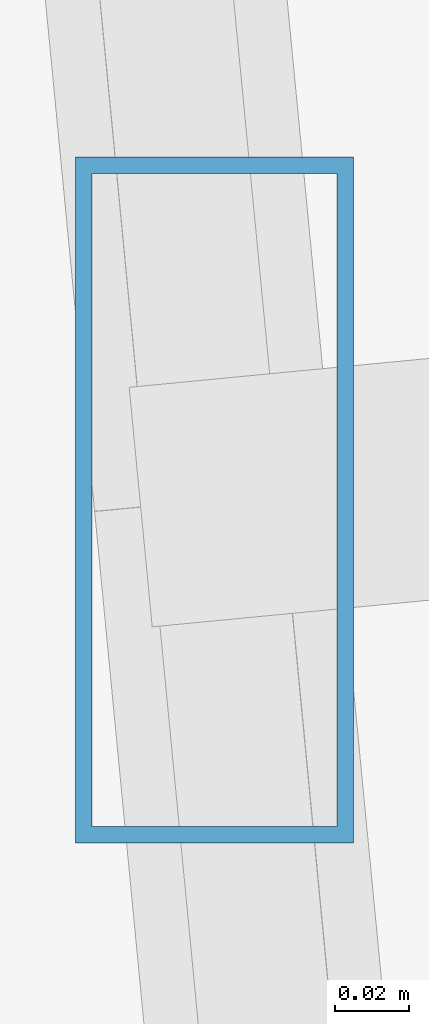
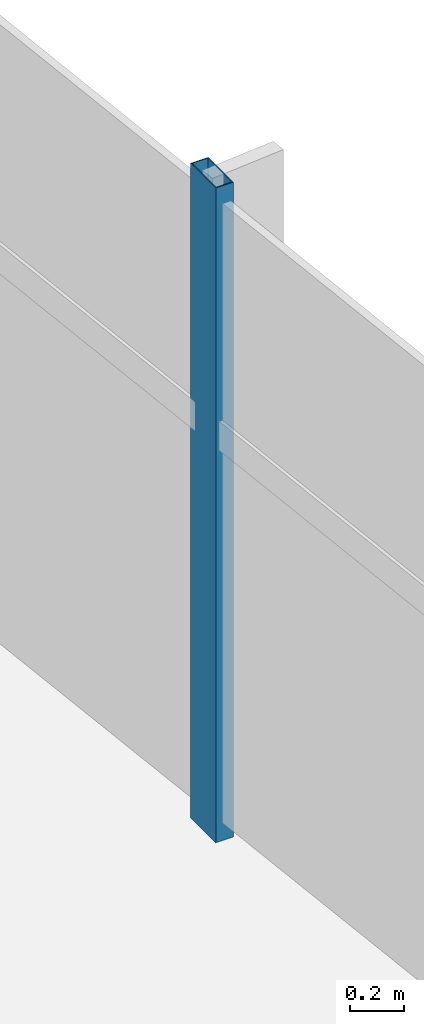
# One storey, part 16 of 27: 1 member, 1 element without a shape of its own.
"""IFC4 building model written with IfcOpenShell, lengths in metres."""

from ifc_helpers import new_model, si_unit, direction, frame, origin, origin_2d, place, context, subcontext, project, spatial, hollow_rectangle, extrude, source, transform, mapped, material, material_profile, profile_set, type_object, type_shapes, element, aggregate, save


model = new_model("IFC4")

# Units and contexts
model_context = context("Model", 3, precision=1e-05, world=origin(), true_north=direction((0.0, 1.0)))
body_context = subcontext(model_context, "Body", "Model", "MODEL_VIEW")
ifc_project = project(units=[si_unit("LENGTHUNIT", "METRE"), si_unit("AREAUNIT", "SQUARE_METRE"), si_unit("VOLUMEUNIT", "CUBIC_METRE"), si_unit("PLANEANGLEUNIT", "RADIAN"), si_unit("MASSUNIT", "GRAM", prefix="KILO")], contexts=[model_context])

# Site, building, storey
site_placement = place(None, origin())
site = spatial("IfcSite", under=ifc_project, at=site_placement, CompositionType="ELEMENT")
building_placement = place(site_placement, origin())
building = spatial("IfcBuilding", under=site, at=building_placement, Name="Astriad Promenade Condominiums", CompositionType="ELEMENT")
storey_placement = place(building_placement, frame((0.0, 0.0, 113.0)))
storey = spatial("IfcBuildingStorey", under=building, at=storey_placement, Name="L32", CompositionType="ELEMENT", Elevation=113.0)

# Curtain wall, member
ifc_material_1 = material(Name="Anodised aluminium Black Dark Glass Unitised", Category="aluminium")
curtain_wall_type = type_object("IfcCurtainWallType", Name="CW-B2-DARK", PredefinedType="USERDEFINED", material=ifc_material_1)
curtain_wall_placement = place(storey_placement, origin())
curtain_wall = element("IfcCurtainWall", 1, at=curtain_wall_placement, inside=storey, type_object=curtain_wall_type, Name="CW-L32-E", ObjectType="UNITISED_CURTAIN_WALL", PredefinedType="USERDEFINED")
ifc_material_2 = material(Name="Anodised aluminium 6063-T6 Black", Category="aluminium")
ifc_material_profile = material_profile(ifc_material_2, hollow_rectangle(XDim=0.074951171875, YDim=0.18505859375, WallThickness=0.00439453125, at=origin_2d()), Name="ALU-MUL-75X185")
ifc_profile_set = profile_set([ifc_material_profile], Name="Anodised aluminium 6063-T6 Black")
member_type = type_object("IfcMemberType", Name="MUL-ALU-MUL-75X185", PredefinedType="MULLION", material=ifc_profile_set)
shared_shape = source(origin(), body_context, "Body", "SweptSolid", [
    extrude(hollow_rectangle(XDim=0.074951171875, YDim=0.18505859375, WallThickness=0.00439453125, at=origin_2d()), origin(), (0.0, 0.0, 1.0), 2.93994140625),
])
type_shapes(member_type, [shared_shape])
member_placement = place(storey_placement, frame((68.972900390625, 16.6552734375, 0.0), z_axis=(0.0, 0.0, 1.0), x_axis=(1.0, 0.0, 0.0)))
member = element("IfcMember", 2, at=member_placement, type_object=member_type, Name="CW-L32-E-MUL-02", PredefinedType="MULLION", context=body_context, shape_type="MappedRepresentation", body=[
    mapped(shared_shape, transform((0.0, 0.0, 0.0), scale=1.0)),
])
aggregate(curtain_wall, [member])

save(model, "model.ifc")
